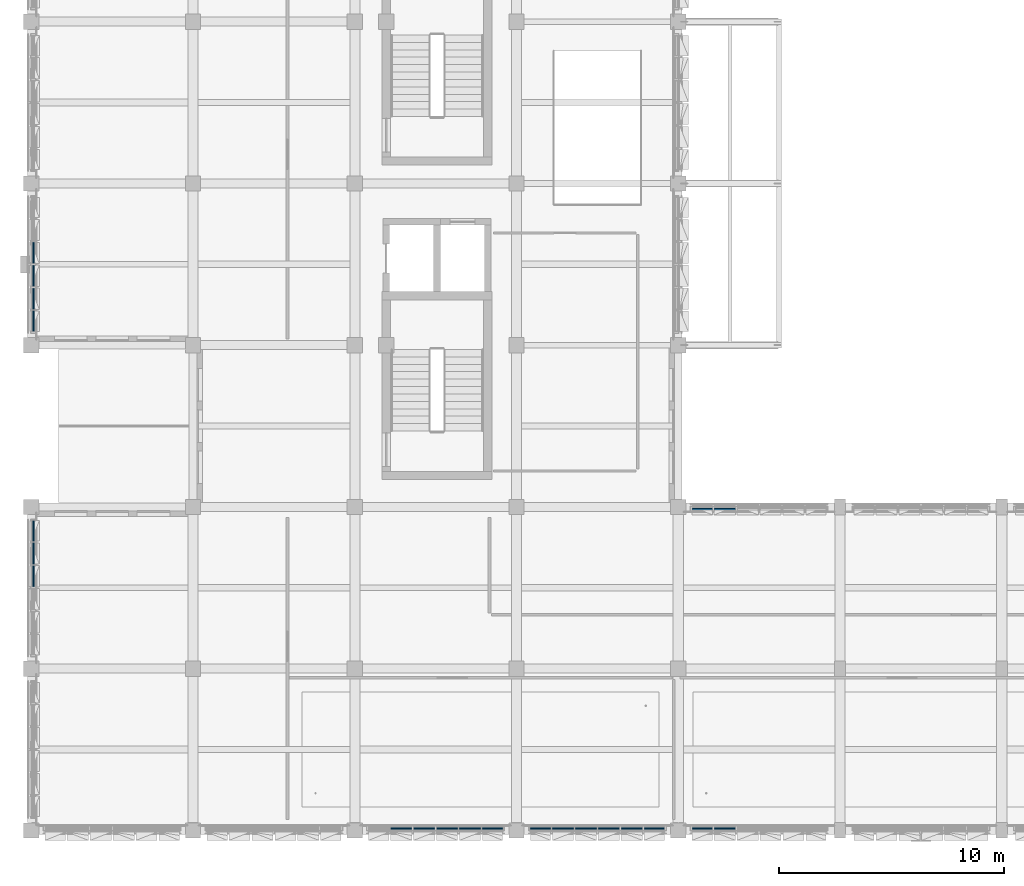
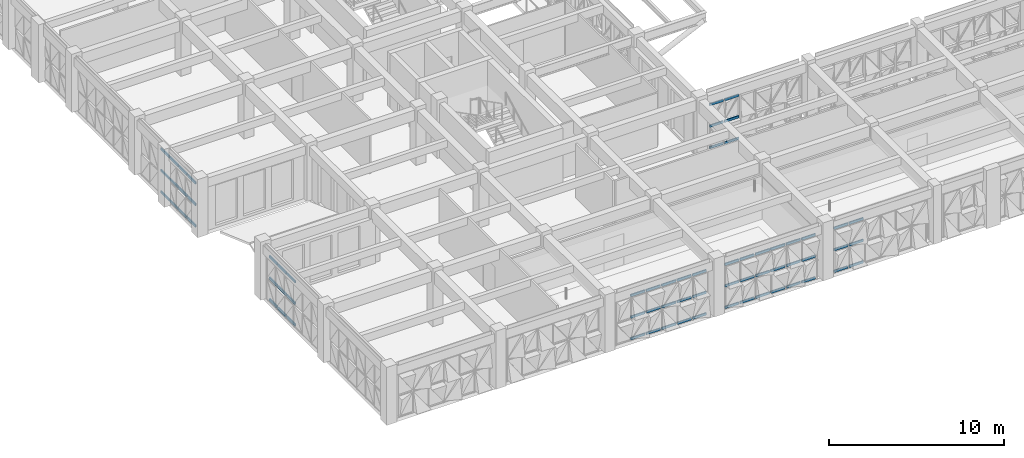
# One storey, part 19 of 88: 66 members, 6 elements without a shape of their own.
"""IFC4 building model written with IfcOpenShell, lengths in metres."""

import ifcopenshell
import ifcopenshell.guid

model = None  # the IFC model being written
_history = None  # IfcOwnerHistory: only IFC2X3 demands one
_inside = {}  # id of a spatial element -> (the spatial element, [elements in it])
_under = {}  # id of a project, library or spatial element -> (it, [spatial elements below it])
_declared = {}  # id of a project -> (the project, [libraries it declares])
_typed = {}  # id of a type object -> (the type object, [elements of that type])
_made_of = {}  # id of a material, layer set ... -> (it, [elements and type objects made of it])


def new_model(schema):
    """Start an empty IFC model of exactly this schema.

    Asked for "IFC4X3", IfcOpenShell would pick the latest addendum, in which some entities
    have other attributes; the version numbers below select the first issue.
    IFC2X3 requires an IfcOwnerHistory on every rooted entity: one is made here for all.
    """
    global model, _history
    if schema == "IFC4X3":
        model = ifcopenshell.file(schema_version=(4, 3, 0, 0))
    else:
        model = ifcopenshell.file(schema=schema)
    _inside.clear()
    _under.clear()
    _declared.clear()
    _typed.clear()
    _made_of.clear()
    _history = None
    if model.schema == "IFC2X3":
        org = make("IfcOrganization", Name="unknown")
        user = make(
            "IfcPersonAndOrganization",
            ThePerson=make("IfcPerson", FamilyName="unknown"),
            TheOrganization=org,
        )
        app = make(
            "IfcApplication",
            ApplicationDeveloper=org,
            Version="unknown",
            ApplicationFullName="unknown",
            ApplicationIdentifier="unknown",
        )
        _history = make(
            "IfcOwnerHistory",
            OwningUser=user,
            OwningApplication=app,
            ChangeAction="ADDED",
            CreationDate=0,
        )
    return model


def make(cls, **values):
    """One entity of the class cls with the attributes given. An attribute that is None is left unset."""
    return model.create_entity(
        cls, **{name: value for name, value in values.items() if value is not None}
    )


def rooted(cls, **values):
    """An entity with a GlobalId (a new one), such as an element, a storey or a relation."""
    return make(cls, GlobalId=ifcopenshell.guid.new(), OwnerHistory=_history, **values)


def si_unit(unit_type, name, prefix=None):
    """IfcSIUnit, for example si_unit("LENGTHUNIT", "METRE", prefix="MILLI")."""
    return make("IfcSIUnit", UnitType=unit_type, Prefix=prefix, Name=name)


def assignment(units):
    """IfcUnitAssignment: the units of a project."""
    return None if units is None else make("IfcUnitAssignment", Units=units)


def point(xyz):
    """IfcCartesianPoint."""
    return None if xyz is None else make("IfcCartesianPoint", Coordinates=xyz)


def direction(xyz):
    """IfcDirection."""
    return None if xyz is None else make("IfcDirection", DirectionRatios=xyz)


def frame(location, z_axis=None, x_axis=None):
    """IfcAxis2Placement3D, a coordinate frame: its origin and axes. An axis left out is left unset."""
    return make(
        "IfcAxis2Placement3D",
        Location=point(location),
        Axis=direction(z_axis),
        RefDirection=direction(x_axis),
    )


def frame_2d(location, x_axis=None):
    """IfcAxis2Placement2D, a coordinate frame in the plane: its origin and x axis."""
    return make(
        "IfcAxis2Placement2D", Location=point(location), RefDirection=direction(x_axis)
    )


def origin():
    """The frame at (0, 0, 0) with its axes left unset."""
    return frame((0.0, 0.0, 0.0))


def origin_2d():
    """The frame at (0, 0) in the plane with its x axis left unset."""
    return frame_2d((0.0, 0.0))


def place(relative_to, where):
    """IfcLocalPlacement: puts the frame where relative to a parent placement (None: the world)."""
    return make(
        "IfcLocalPlacement", PlacementRelTo=relative_to, RelativePlacement=where
    )


def context(
    kind, dimensions, precision=None, world=None, true_north=None, identifier=None
):
    """IfcGeometricRepresentationContext, for example the 3D "Model" context."""
    return make(
        "IfcGeometricRepresentationContext",
        ContextIdentifier=identifier,
        ContextType=kind,
        CoordinateSpaceDimension=dimensions,
        Precision=precision,
        WorldCoordinateSystem=world,
        TrueNorth=true_north,
    )


def subcontext(parent, identifier, kind, view, scale=None):
    """IfcGeometricRepresentationSubContext, for example "Body" below "Model"."""
    return make(
        "IfcGeometricRepresentationSubContext",
        ContextIdentifier=identifier,
        ContextType=kind,
        ParentContext=parent,
        TargetScale=scale,
        TargetView=view,
    )


def project(units=None, contexts=None):
    """IfcProject with its units and contexts."""
    return rooted(
        "IfcProject",
        Name="project",
        RepresentationContexts=contexts,
        UnitsInContext=assignment(units),
    )


def spatial(cls, under=None, at=None, **own):
    """A site, building, storey or space (cls), placed at a placement, below another one or the project."""
    s = rooted(cls, ObjectPlacement=at, **own)
    if under is not None:
        _under.setdefault(under.id(), (under, []))[1].append(s)
    return s


def profile(cls, at=None, kind="AREA", **sizes):
    """A parametric profile (cls). Its sizes go by their IFC names, for example OverallWidth=200.0."""
    return make(cls, ProfileType=kind, Position=at, **sizes)


def rectangle(**sizes):
    """IfcRectangleProfileDef."""
    return profile("IfcRectangleProfileDef", **sizes)


def extrude(swept, where, along, depth):
    """IfcExtrudedAreaSolid: the profile swept, set in the frame where, extruded along a direction by depth."""
    return make(
        "IfcExtrudedAreaSolid",
        SweptArea=swept,
        Position=where,
        ExtrudedDirection=direction(along),
        Depth=depth,
    )


def shape(context_of_items, identifier, shape_type, items):
    """IfcShapeRepresentation: the items that make up one representation, for example the "Body"."""
    return make(
        "IfcShapeRepresentation",
        ContextOfItems=context_of_items,
        RepresentationIdentifier=identifier,
        RepresentationType=shape_type,
        Items=items,
    )


def material(Name=None, Category=None):
    """IfcMaterial."""
    return make("IfcMaterial", Name=Name, Category=Category)


def material_profile(
    of_material, cross_section, Name=None, Category=None, Priority=None
):
    """IfcMaterialProfile: a cross section and its material."""
    return make(
        "IfcMaterialProfile",
        Name=Name,
        Material=of_material,
        Profile=cross_section,
        Priority=Priority,
        Category=Category,
    )


def profile_set(profiles, Name=None, composite=None):
    """IfcMaterialProfileSet."""
    return make(
        "IfcMaterialProfileSet",
        Name=Name,
        MaterialProfiles=profiles,
        CompositeProfile=composite,
    )


def made_of(thing, what):
    """Note that an element or type object is made of a material, layer set ...; save() writes the relation."""
    if what is not None:
        _made_of.setdefault(what.id(), (what, []))[1].append(thing)
    return thing


def type_object(cls, material=None, **own):
    """A type object (cls), such as IfcWallType, which elements share."""
    return made_of(rooted(cls, **own), material)


def element(
    cls,
    number,
    at=None,
    inside=None,
    cuts=None,
    type_object=None,
    material=None,
    context=None,
    identifier="Body",
    shape_type=None,
    held_by="IfcProductDefinitionShape",
    body=None,
    shapes=None,
    **own,
):
    """One element of the class cls, such as IfcWall. Its Tag is "e" and its number.

    at: its placement. inside: the storey or other place that contains it. cuts: it is an
    opening in that element (IfcRelVoidsElement). A single representation is given by context,
    identifier, shape_type and body (its items); several are given by shapes. held_by: the class
    of the entity that holds the representations. save() writes the other relations.
    """
    e = rooted(cls, Tag="e%d" % number, ObjectPlacement=at, **own)
    if body is not None:
        shapes = [shape(context, identifier, shape_type, body)]
    if shapes is not None:
        e.Representation = make(held_by, Representations=shapes)
    if inside is not None:
        _inside.setdefault(inside.id(), (inside, []))[1].append(e)
    if cuts is not None:
        rooted(
            "IfcRelVoidsElement", RelatingBuildingElement=cuts, RelatedOpeningElement=e
        )
    if type_object is not None:
        _typed.setdefault(type_object.id(), (type_object, []))[1].append(e)
    return made_of(e, material)


def aggregate(whole, parts):
    """IfcRelAggregates: a whole, such as a stair, and the parts it consists of."""
    return rooted("IfcRelAggregates", RelatingObject=whole, RelatedObjects=parts)


def save(model, path):
    """Write the relations noted so far, then the file.

    IfcRelAggregates (storeys below a building ...), IfcRelContainedInSpatialStructure (elements
    in a storey), IfcRelDefinesByType, IfcRelAssociatesMaterial and IfcRelDeclares: one each for
    every whole, place, type object, material and project.
    """
    for whole, parts in _under.values():
        aggregate(whole, parts)
    for where, things in _inside.values():
        rooted(
            "IfcRelContainedInSpatialStructure",
            RelatedElements=things,
            RelatingStructure=where,
        )
    for kind, things in _typed.values():
        rooted("IfcRelDefinesByType", RelatedObjects=things, RelatingType=kind)
    for what, things in _made_of.values():
        rooted("IfcRelAssociatesMaterial", RelatedObjects=things, RelatingMaterial=what)
    for by, libraries in _declared.values():
        rooted("IfcRelDeclares", RelatingContext=by, RelatedDefinitions=libraries)
    model.write(path)


model = new_model("IFC4")

# Units and contexts
model_context = context("Model", 3, precision=1e-05, world=origin(), true_north=direction((0.0, 1.0)))
body_context = subcontext(model_context, "Body", "Model", "MODEL_VIEW")
ifc_project = project(units=[si_unit("LENGTHUNIT", "METRE"), si_unit("AREAUNIT", "SQUARE_METRE"), si_unit("VOLUMEUNIT", "CUBIC_METRE"), si_unit("PLANEANGLEUNIT", "RADIAN"), si_unit("MASSUNIT", "GRAM", prefix="KILO")], contexts=[model_context])

# Site, building, storey
site_placement = place(None, origin())
site = spatial("IfcSite", under=ifc_project, at=site_placement, CompositionType="ELEMENT")
building_placement = place(site_placement, origin())
building = spatial("IfcBuilding", under=site, at=building_placement, Name="Alvorim Cloister Faculty of Sciences", CompositionType="ELEMENT")
storey_placement = place(building_placement, frame((0.0, 0.0, 4.5)))
storey = spatial("IfcBuildingStorey", under=building, at=storey_placement, Name="L01", CompositionType="ELEMENT", Elevation=4.5)

# Curtain wall, members
ifc_material_1 = material(Name="Aluminium and Low-E Glass Curtain Wall", Category="aluminium")
curtain_wall_type = type_object("IfcCurtainWallType", Name="CW-TRI-6120x3170", PredefinedType="USERDEFINED", material=ifc_material_1)
curtain_wall_1_placement = place(storey_placement, origin())
curtain_wall_1 = element("IfcCurtainWall", 1, at=curtain_wall_1_placement, inside=storey, type_object=curtain_wall_type, Name="L01 Diagonal Cassette Curtain Wall CW-0007", ObjectType="UNITISED CURTAIN WALL", PredefinedType="USERDEFINED")
ifc_material_2 = material(Name="Aluminium Alloy 6063-T6", Category="aluminium")
ifc_material_profile = material_profile(ifc_material_2, rectangle(XDim=0.074951171875, YDim=0.159912109375, at=origin_2d()), Name="ALU-TRN-75x160")
ifc_profile_set = profile_set([ifc_material_profile], Name="Aluminium Alloy 6063-T6")
member_type = type_object("IfcMemberType", Name="CW-TRN-75x160", PredefinedType="USERDEFINED", material=ifc_profile_set)
member_1_placement = place(storey_placement, frame((0.090087890625, 22.215087890625, 0.080078125), z_axis=(0.0, 1.0, 0.0), x_axis=(-1.0, 0.0, 0.0)))
member_1 = element("IfcMember", 2, at=member_1_placement, type_object=member_type, Name="CW-0007 Transom 1.1", ObjectType="TRANSOM", PredefinedType="USERDEFINED", context=body_context, shape_type="SweptSolid", body=[
    extrude(rectangle(XDim=0.074951171875, YDim=0.159912109375, at=origin_2d()), origin(), (0.0, 0.0, 1.0), 0.907470703125),
])
member_2_placement = place(storey_placement, frame((0.090087890625, 22.215087890625, 1.5849609375), z_axis=(0.0, 1.0, 0.0), x_axis=(-1.0, 0.0, 0.0)))
member_2 = element("IfcMember", 3, at=member_2_placement, type_object=member_type, Name="CW-0007 Transom 1.2", ObjectType="TRANSOM", PredefinedType="USERDEFINED", context=body_context, shape_type="SweptSolid", body=[
    extrude(rectangle(XDim=0.074951171875, YDim=0.159912109375, at=origin_2d()), origin(), (0.0, 0.0, 1.0), 0.907470703125),
])
member_3_placement = place(storey_placement, frame((0.090087890625, 22.215087890625, 3.090087890625), z_axis=(0.0, 1.0, 0.0), x_axis=(-1.0, 0.0, 0.0)))
member_3 = element("IfcMember", 4, at=member_3_placement, type_object=member_type, Name="CW-0007 Transom 1.3", ObjectType="TRANSOM", PredefinedType="USERDEFINED", context=body_context, shape_type="SweptSolid", body=[
    extrude(rectangle(XDim=0.074951171875, YDim=0.159912109375, at=origin_2d()), origin(), (0.0, 0.0, 1.0), 0.907470703125),
])
member_4_placement = place(storey_placement, frame((0.090087890625, 23.197509765625, 0.080078125), z_axis=(0.0, 1.0, 0.0), x_axis=(-1.0, 0.0, 0.0)))
member_4 = element("IfcMember", 5, at=member_4_placement, type_object=member_type, Name="CW-0007 Transom 2.1", ObjectType="TRANSOM", PredefinedType="USERDEFINED", context=body_context, shape_type="SweptSolid", body=[
    extrude(rectangle(XDim=0.074951171875, YDim=0.159912109375, at=origin_2d()), origin(), (0.0, 0.0, 1.0), 0.945068359375),
])
member_5_placement = place(storey_placement, frame((0.090087890625, 23.197509765625, 1.5849609375), z_axis=(0.0, 1.0, 0.0), x_axis=(-1.0, 0.0, 0.0)))
member_5 = element("IfcMember", 6, at=member_5_placement, type_object=member_type, Name="CW-0007 Transom 2.2", ObjectType="TRANSOM", PredefinedType="USERDEFINED", context=body_context, shape_type="SweptSolid", body=[
    extrude(rectangle(XDim=0.074951171875, YDim=0.159912109375, at=origin_2d()), origin(), (0.0, 0.0, 1.0), 0.945068359375),
])
member_6_placement = place(storey_placement, frame((0.090087890625, 23.197509765625, 3.090087890625), z_axis=(0.0, 1.0, 0.0), x_axis=(-1.0, 0.0, 0.0)))
member_6 = element("IfcMember", 7, at=member_6_placement, type_object=member_type, Name="CW-0007 Transom 2.3", ObjectType="TRANSOM", PredefinedType="USERDEFINED", context=body_context, shape_type="SweptSolid", body=[
    extrude(rectangle(XDim=0.074951171875, YDim=0.159912109375, at=origin_2d()), origin(), (0.0, 0.0, 1.0), 0.945068359375),
])
member_7_placement = place(storey_placement, frame((0.090087890625, 24.217529296875, 0.080078125), z_axis=(0.0, 1.0, 0.0), x_axis=(-1.0, 0.0, 0.0)))
member_7 = element("IfcMember", 8, at=member_7_placement, type_object=member_type, Name="CW-0007 Transom 3.1", ObjectType="TRANSOM", PredefinedType="USERDEFINED", context=body_context, shape_type="SweptSolid", body=[
    extrude(rectangle(XDim=0.074951171875, YDim=0.159912109375, at=origin_2d()), origin(), (0.0, 0.0, 1.0), 0.945068359375),
])
member_8_placement = place(storey_placement, frame((0.090087890625, 24.217529296875, 1.5849609375), z_axis=(0.0, 1.0, 0.0), x_axis=(-1.0, 0.0, 0.0)))
member_8 = element("IfcMember", 9, at=member_8_placement, type_object=member_type, Name="CW-0007 Transom 3.2", ObjectType="TRANSOM", PredefinedType="USERDEFINED", context=body_context, shape_type="SweptSolid", body=[
    extrude(rectangle(XDim=0.074951171875, YDim=0.159912109375, at=origin_2d()), origin(), (0.0, 0.0, 1.0), 0.945068359375),
])
member_9_placement = place(storey_placement, frame((0.090087890625, 24.217529296875, 3.090087890625), z_axis=(0.0, 1.0, 0.0), x_axis=(-1.0, 0.0, 0.0)))
member_9 = element("IfcMember", 10, at=member_9_placement, type_object=member_type, Name="CW-0007 Transom 3.3", ObjectType="TRANSOM", PredefinedType="USERDEFINED", context=body_context, shape_type="SweptSolid", body=[
    extrude(rectangle(XDim=0.074951171875, YDim=0.159912109375, at=origin_2d()), origin(), (0.0, 0.0, 1.0), 0.945068359375),
])
member_10_placement = place(storey_placement, frame((0.090087890625, 25.237548828125, 0.080078125), z_axis=(0.0, 1.0, 0.0), x_axis=(-1.0, 0.0, 0.0)))
member_10 = element("IfcMember", 11, at=member_10_placement, type_object=member_type, Name="CW-0007 Transom 4.1", ObjectType="TRANSOM", PredefinedType="USERDEFINED", context=body_context, shape_type="SweptSolid", body=[
    extrude(rectangle(XDim=0.074951171875, YDim=0.159912109375, at=origin_2d()), origin(), (0.0, 0.0, 1.0), 0.945068359375),
])
member_11_placement = place(storey_placement, frame((0.090087890625, 25.237548828125, 1.5849609375), z_axis=(0.0, 1.0, 0.0), x_axis=(-1.0, 0.0, 0.0)))
member_11 = element("IfcMember", 12, at=member_11_placement, type_object=member_type, Name="CW-0007 Transom 4.2", ObjectType="TRANSOM", PredefinedType="USERDEFINED", context=body_context, shape_type="SweptSolid", body=[
    extrude(rectangle(XDim=0.074951171875, YDim=0.159912109375, at=origin_2d()), origin(), (0.0, 0.0, 1.0), 0.945068359375),
])
member_12_placement = place(storey_placement, frame((0.090087890625, 25.237548828125, 3.090087890625), z_axis=(0.0, 1.0, 0.0), x_axis=(-1.0, 0.0, 0.0)))
member_12 = element("IfcMember", 13, at=member_12_placement, type_object=member_type, Name="CW-0007 Transom 4.3", ObjectType="TRANSOM", PredefinedType="USERDEFINED", context=body_context, shape_type="SweptSolid", body=[
    extrude(rectangle(XDim=0.074951171875, YDim=0.159912109375, at=origin_2d()), origin(), (0.0, 0.0, 1.0), 0.945068359375),
])
aggregate(curtain_wall_1, [member_1, member_2, member_3, member_4, member_5, member_6, member_7, member_8, member_9, member_10, member_11, member_12])

curtain_wall_2_placement = place(storey_placement, origin())
curtain_wall_2 = element("IfcCurtainWall", 14, at=curtain_wall_2_placement, inside=storey, type_object=curtain_wall_type, Name="L01 Diagonal Cassette Curtain Wall CW-0027", ObjectType="UNITISED CURTAIN WALL", PredefinedType="USERDEFINED")
member_13_placement = place(storey_placement, frame((29.4150390625, 14.31005859375, 0.080078125), z_axis=(1.0, 0.0, 0.0), x_axis=(0.0, 1.0, 0.0)))
member_13 = element("IfcMember", 15, at=member_13_placement, type_object=member_type, Name="CW-0027 Transom 1.1", ObjectType="TRANSOM", PredefinedType="USERDEFINED", context=body_context, shape_type="SweptSolid", body=[
    extrude(rectangle(XDim=0.074951171875, YDim=0.159912109375, at=origin_2d()), origin(), (0.0, 0.0, 1.0), 0.907470703125),
])
member_14_placement = place(storey_placement, frame((29.4150390625, 14.31005859375, 1.5849609375), z_axis=(1.0, 0.0, 0.0), x_axis=(0.0, 1.0, 0.0)))
member_14 = element("IfcMember", 16, at=member_14_placement, type_object=member_type, Name="CW-0027 Transom 1.2", ObjectType="TRANSOM", PredefinedType="USERDEFINED", context=body_context, shape_type="SweptSolid", body=[
    extrude(rectangle(XDim=0.074951171875, YDim=0.159912109375, at=origin_2d()), origin(), (0.0, 0.0, 1.0), 0.907470703125),
])
member_15_placement = place(storey_placement, frame((29.4150390625, 14.31005859375, 3.090087890625), z_axis=(1.0, 0.0, 0.0), x_axis=(0.0, 1.0, 0.0)))
member_15 = element("IfcMember", 17, at=member_15_placement, type_object=member_type, Name="CW-0027 Transom 1.3", ObjectType="TRANSOM", PredefinedType="USERDEFINED", context=body_context, shape_type="SweptSolid", body=[
    extrude(rectangle(XDim=0.074951171875, YDim=0.159912109375, at=origin_2d()), origin(), (0.0, 0.0, 1.0), 0.907470703125),
])
member_16_placement = place(storey_placement, frame((30.3974609375, 14.31005859375, 0.080078125), z_axis=(1.0, 0.0, 0.0), x_axis=(0.0, 1.0, 0.0)))
member_16 = element("IfcMember", 18, at=member_16_placement, type_object=member_type, Name="CW-0027 Transom 2.1", ObjectType="TRANSOM", PredefinedType="USERDEFINED", context=body_context, shape_type="SweptSolid", body=[
    extrude(rectangle(XDim=0.074951171875, YDim=0.159912109375, at=origin_2d()), origin(), (0.0, 0.0, 1.0), 0.945068359375),
])
member_17_placement = place(storey_placement, frame((30.3974609375, 14.31005859375, 1.5849609375), z_axis=(1.0, 0.0, 0.0), x_axis=(0.0, 1.0, 0.0)))
member_17 = element("IfcMember", 19, at=member_17_placement, type_object=member_type, Name="CW-0027 Transom 2.2", ObjectType="TRANSOM", PredefinedType="USERDEFINED", context=body_context, shape_type="SweptSolid", body=[
    extrude(rectangle(XDim=0.074951171875, YDim=0.159912109375, at=origin_2d()), origin(), (0.0, 0.0, 1.0), 0.945068359375),
])
member_18_placement = place(storey_placement, frame((30.3974609375, 14.31005859375, 3.090087890625), z_axis=(1.0, 0.0, 0.0), x_axis=(0.0, 1.0, 0.0)))
member_18 = element("IfcMember", 20, at=member_18_placement, type_object=member_type, Name="CW-0027 Transom 2.3", ObjectType="TRANSOM", PredefinedType="USERDEFINED", context=body_context, shape_type="SweptSolid", body=[
    extrude(rectangle(XDim=0.074951171875, YDim=0.159912109375, at=origin_2d()), origin(), (0.0, 0.0, 1.0), 0.945068359375),
])
aggregate(curtain_wall_2, [member_13, member_14, member_15, member_16, member_17, member_18])

curtain_wall_3_placement = place(storey_placement, origin())
curtain_wall_3 = element("IfcCurtainWall", 21, at=curtain_wall_3_placement, inside=storey, type_object=curtain_wall_type, Name="L01 Diagonal Cassette Curtain Wall CW-0044", ObjectType="UNITISED CURTAIN WALL", PredefinedType="USERDEFINED")
member_19_placement = place(storey_placement, frame((29.4150390625, 0.090087890625, 0.080078125), z_axis=(1.0, 0.0, 0.0), x_axis=(0.0, 1.0, 0.0)))
member_19 = element("IfcMember", 22, at=member_19_placement, type_object=member_type, Name="CW-0044 Transom 1.1", ObjectType="TRANSOM", PredefinedType="USERDEFINED", context=body_context, shape_type="SweptSolid", body=[
    extrude(rectangle(XDim=0.074951171875, YDim=0.159912109375, at=origin_2d()), origin(), (0.0, 0.0, 1.0), 0.907470703125),
])
member_20_placement = place(storey_placement, frame((29.4150390625, 0.090087890625, 1.5849609375), z_axis=(1.0, 0.0, 0.0), x_axis=(0.0, 1.0, 0.0)))
member_20 = element("IfcMember", 23, at=member_20_placement, type_object=member_type, Name="CW-0044 Transom 1.2", ObjectType="TRANSOM", PredefinedType="USERDEFINED", context=body_context, shape_type="SweptSolid", body=[
    extrude(rectangle(XDim=0.074951171875, YDim=0.159912109375, at=origin_2d()), origin(), (0.0, 0.0, 1.0), 0.907470703125),
])
member_21_placement = place(storey_placement, frame((29.4150390625, 0.090087890625, 3.090087890625), z_axis=(1.0, 0.0, 0.0), x_axis=(0.0, 1.0, 0.0)))
member_21 = element("IfcMember", 24, at=member_21_placement, type_object=member_type, Name="CW-0044 Transom 1.3", ObjectType="TRANSOM", PredefinedType="USERDEFINED", context=body_context, shape_type="SweptSolid", body=[
    extrude(rectangle(XDim=0.074951171875, YDim=0.159912109375, at=origin_2d()), origin(), (0.0, 0.0, 1.0), 0.907470703125),
])
member_22_placement = place(storey_placement, frame((30.3974609375, 0.090087890625, 0.080078125), z_axis=(1.0, 0.0, 0.0), x_axis=(0.0, 1.0, 0.0)))
member_22 = element("IfcMember", 25, at=member_22_placement, type_object=member_type, Name="CW-0044 Transom 2.1", ObjectType="TRANSOM", PredefinedType="USERDEFINED", context=body_context, shape_type="SweptSolid", body=[
    extrude(rectangle(XDim=0.074951171875, YDim=0.159912109375, at=origin_2d()), origin(), (0.0, 0.0, 1.0), 0.945068359375),
])
member_23_placement = place(storey_placement, frame((30.3974609375, 0.090087890625, 1.5849609375), z_axis=(1.0, 0.0, 0.0), x_axis=(0.0, 1.0, 0.0)))
member_23 = element("IfcMember", 26, at=member_23_placement, type_object=member_type, Name="CW-0044 Transom 2.2", ObjectType="TRANSOM", PredefinedType="USERDEFINED", context=body_context, shape_type="SweptSolid", body=[
    extrude(rectangle(XDim=0.074951171875, YDim=0.159912109375, at=origin_2d()), origin(), (0.0, 0.0, 1.0), 0.945068359375),
])
member_24_placement = place(storey_placement, frame((30.3974609375, 0.090087890625, 3.090087890625), z_axis=(1.0, 0.0, 0.0), x_axis=(0.0, 1.0, 0.0)))
member_24 = element("IfcMember", 27, at=member_24_placement, type_object=member_type, Name="CW-0044 Transom 2.3", ObjectType="TRANSOM", PredefinedType="USERDEFINED", context=body_context, shape_type="SweptSolid", body=[
    extrude(rectangle(XDim=0.074951171875, YDim=0.159912109375, at=origin_2d()), origin(), (0.0, 0.0, 1.0), 0.945068359375),
])
aggregate(curtain_wall_3, [member_19, member_20, member_21, member_22, member_23, member_24])

curtain_wall_4_placement = place(storey_placement, origin())
curtain_wall_4 = element("IfcCurtainWall", 28, at=curtain_wall_4_placement, inside=storey, type_object=curtain_wall_type, Name="L01 Diagonal Cassette Curtain Wall CW-0045", ObjectType="UNITISED CURTAIN WALL", PredefinedType="USERDEFINED")
member_25_placement = place(storey_placement, frame((22.215087890625, 0.090087890625, 0.080078125), z_axis=(1.0, 0.0, 0.0), x_axis=(0.0, 1.0, 0.0)))
member_25 = element("IfcMember", 29, at=member_25_placement, type_object=member_type, Name="CW-0045 Transom 1.1", ObjectType="TRANSOM", PredefinedType="USERDEFINED", context=body_context, shape_type="SweptSolid", body=[
    extrude(rectangle(XDim=0.074951171875, YDim=0.159912109375, at=origin_2d()), origin(), (0.0, 0.0, 1.0), 0.907470703125),
])
member_26_placement = place(storey_placement, frame((22.215087890625, 0.090087890625, 1.5849609375), z_axis=(1.0, 0.0, 0.0), x_axis=(0.0, 1.0, 0.0)))
member_26 = element("IfcMember", 30, at=member_26_placement, type_object=member_type, Name="CW-0045 Transom 1.2", ObjectType="TRANSOM", PredefinedType="USERDEFINED", context=body_context, shape_type="SweptSolid", body=[
    extrude(rectangle(XDim=0.074951171875, YDim=0.159912109375, at=origin_2d()), origin(), (0.0, 0.0, 1.0), 0.907470703125),
])
member_27_placement = place(storey_placement, frame((22.215087890625, 0.090087890625, 3.090087890625), z_axis=(1.0, 0.0, 0.0), x_axis=(0.0, 1.0, 0.0)))
member_27 = element("IfcMember", 31, at=member_27_placement, type_object=member_type, Name="CW-0045 Transom 1.3", ObjectType="TRANSOM", PredefinedType="USERDEFINED", context=body_context, shape_type="SweptSolid", body=[
    extrude(rectangle(XDim=0.074951171875, YDim=0.159912109375, at=origin_2d()), origin(), (0.0, 0.0, 1.0), 0.907470703125),
])
member_28_placement = place(storey_placement, frame((23.197509765625, 0.090087890625, 0.080078125), z_axis=(1.0, 0.0, 0.0), x_axis=(0.0, 1.0, 0.0)))
member_28 = element("IfcMember", 32, at=member_28_placement, type_object=member_type, Name="CW-0045 Transom 2.1", ObjectType="TRANSOM", PredefinedType="USERDEFINED", context=body_context, shape_type="SweptSolid", body=[
    extrude(rectangle(XDim=0.074951171875, YDim=0.159912109375, at=origin_2d()), origin(), (0.0, 0.0, 1.0), 0.945068359375),
])
member_29_placement = place(storey_placement, frame((23.197509765625, 0.090087890625, 1.5849609375), z_axis=(1.0, 0.0, 0.0), x_axis=(0.0, 1.0, 0.0)))
member_29 = element("IfcMember", 33, at=member_29_placement, type_object=member_type, Name="CW-0045 Transom 2.2", ObjectType="TRANSOM", PredefinedType="USERDEFINED", context=body_context, shape_type="SweptSolid", body=[
    extrude(rectangle(XDim=0.074951171875, YDim=0.159912109375, at=origin_2d()), origin(), (0.0, 0.0, 1.0), 0.945068359375),
])
member_30_placement = place(storey_placement, frame((23.197509765625, 0.090087890625, 3.090087890625), z_axis=(1.0, 0.0, 0.0), x_axis=(0.0, 1.0, 0.0)))
member_30 = element("IfcMember", 34, at=member_30_placement, type_object=member_type, Name="CW-0045 Transom 2.3", ObjectType="TRANSOM", PredefinedType="USERDEFINED", context=body_context, shape_type="SweptSolid", body=[
    extrude(rectangle(XDim=0.074951171875, YDim=0.159912109375, at=origin_2d()), origin(), (0.0, 0.0, 1.0), 0.945068359375),
])
member_31_placement = place(storey_placement, frame((24.217529296875, 0.090087890625, 0.080078125), z_axis=(1.0, 0.0, 0.0), x_axis=(0.0, 1.0, 0.0)))
member_31 = element("IfcMember", 35, at=member_31_placement, type_object=member_type, Name="CW-0045 Transom 3.1", ObjectType="TRANSOM", PredefinedType="USERDEFINED", context=body_context, shape_type="SweptSolid", body=[
    extrude(rectangle(XDim=0.074951171875, YDim=0.159912109375, at=origin_2d()), origin(), (0.0, 0.0, 1.0), 0.945068359375),
])
member_32_placement = place(storey_placement, frame((24.217529296875, 0.090087890625, 1.5849609375), z_axis=(1.0, 0.0, 0.0), x_axis=(0.0, 1.0, 0.0)))
member_32 = element("IfcMember", 36, at=member_32_placement, type_object=member_type, Name="CW-0045 Transom 3.2", ObjectType="TRANSOM", PredefinedType="USERDEFINED", context=body_context, shape_type="SweptSolid", body=[
    extrude(rectangle(XDim=0.074951171875, YDim=0.159912109375, at=origin_2d()), origin(), (0.0, 0.0, 1.0), 0.945068359375),
])
member_33_placement = place(storey_placement, frame((24.217529296875, 0.090087890625, 3.090087890625), z_axis=(1.0, 0.0, 0.0), x_axis=(0.0, 1.0, 0.0)))
member_33 = element("IfcMember", 37, at=member_33_placement, type_object=member_type, Name="CW-0045 Transom 3.3", ObjectType="TRANSOM", PredefinedType="USERDEFINED", context=body_context, shape_type="SweptSolid", body=[
    extrude(rectangle(XDim=0.074951171875, YDim=0.159912109375, at=origin_2d()), origin(), (0.0, 0.0, 1.0), 0.945068359375),
])
member_34_placement = place(storey_placement, frame((25.237548828125, 0.090087890625, 0.080078125), z_axis=(1.0, 0.0, 0.0), x_axis=(0.0, 1.0, 0.0)))
member_34 = element("IfcMember", 38, at=member_34_placement, type_object=member_type, Name="CW-0045 Transom 4.1", ObjectType="TRANSOM", PredefinedType="USERDEFINED", context=body_context, shape_type="SweptSolid", body=[
    extrude(rectangle(XDim=0.074951171875, YDim=0.159912109375, at=origin_2d()), origin(), (0.0, 0.0, 1.0), 0.945068359375),
])
member_35_placement = place(storey_placement, frame((25.237548828125, 0.090087890625, 1.5849609375), z_axis=(1.0, 0.0, 0.0), x_axis=(0.0, 1.0, 0.0)))
member_35 = element("IfcMember", 39, at=member_35_placement, type_object=member_type, Name="CW-0045 Transom 4.2", ObjectType="TRANSOM", PredefinedType="USERDEFINED", context=body_context, shape_type="SweptSolid", body=[
    extrude(rectangle(XDim=0.074951171875, YDim=0.159912109375, at=origin_2d()), origin(), (0.0, 0.0, 1.0), 0.945068359375),
])
member_36_placement = place(storey_placement, frame((25.237548828125, 0.090087890625, 3.090087890625), z_axis=(1.0, 0.0, 0.0), x_axis=(0.0, 1.0, 0.0)))
member_36 = element("IfcMember", 40, at=member_36_placement, type_object=member_type, Name="CW-0045 Transom 4.3", ObjectType="TRANSOM", PredefinedType="USERDEFINED", context=body_context, shape_type="SweptSolid", body=[
    extrude(rectangle(XDim=0.074951171875, YDim=0.159912109375, at=origin_2d()), origin(), (0.0, 0.0, 1.0), 0.945068359375),
])
member_37_placement = place(storey_placement, frame((26.257568359375, 0.090087890625, 0.080078125), z_axis=(1.0, 0.0, 0.0), x_axis=(0.0, 1.0, 0.0)))
member_37 = element("IfcMember", 41, at=member_37_placement, type_object=member_type, Name="CW-0045 Transom 5.1", ObjectType="TRANSOM", PredefinedType="USERDEFINED", context=body_context, shape_type="SweptSolid", body=[
    extrude(rectangle(XDim=0.074951171875, YDim=0.159912109375, at=origin_2d()), origin(), (0.0, 0.0, 1.0), 0.94482421875),
])
member_38_placement = place(storey_placement, frame((26.257568359375, 0.090087890625, 1.5849609375), z_axis=(1.0, 0.0, 0.0), x_axis=(0.0, 1.0, 0.0)))
member_38 = element("IfcMember", 42, at=member_38_placement, type_object=member_type, Name="CW-0045 Transom 5.2", ObjectType="TRANSOM", PredefinedType="USERDEFINED", context=body_context, shape_type="SweptSolid", body=[
    extrude(rectangle(XDim=0.074951171875, YDim=0.159912109375, at=origin_2d()), origin(), (0.0, 0.0, 1.0), 0.94482421875),
])
member_39_placement = place(storey_placement, frame((26.257568359375, 0.090087890625, 3.090087890625), z_axis=(1.0, 0.0, 0.0), x_axis=(0.0, 1.0, 0.0)))
member_39 = element("IfcMember", 43, at=member_39_placement, type_object=member_type, Name="CW-0045 Transom 5.3", ObjectType="TRANSOM", PredefinedType="USERDEFINED", context=body_context, shape_type="SweptSolid", body=[
    extrude(rectangle(XDim=0.074951171875, YDim=0.159912109375, at=origin_2d()), origin(), (0.0, 0.0, 1.0), 0.94482421875),
])
member_40_placement = place(storey_placement, frame((27.277587890625, 0.090087890625, 0.080078125), z_axis=(1.0, 0.0, 0.0), x_axis=(0.0, 1.0, 0.0)))
member_40 = element("IfcMember", 44, at=member_40_placement, type_object=member_type, Name="CW-0045 Transom 6.1", ObjectType="TRANSOM", PredefinedType="USERDEFINED", context=body_context, shape_type="SweptSolid", body=[
    extrude(rectangle(XDim=0.074951171875, YDim=0.159912109375, at=origin_2d()), origin(), (0.0, 0.0, 1.0), 0.907470703125),
])
member_41_placement = place(storey_placement, frame((27.277587890625, 0.090087890625, 1.5849609375), z_axis=(1.0, 0.0, 0.0), x_axis=(0.0, 1.0, 0.0)))
member_41 = element("IfcMember", 45, at=member_41_placement, type_object=member_type, Name="CW-0045 Transom 6.2", ObjectType="TRANSOM", PredefinedType="USERDEFINED", context=body_context, shape_type="SweptSolid", body=[
    extrude(rectangle(XDim=0.074951171875, YDim=0.159912109375, at=origin_2d()), origin(), (0.0, 0.0, 1.0), 0.907470703125),
])
member_42_placement = place(storey_placement, frame((27.277587890625, 0.090087890625, 3.090087890625), z_axis=(1.0, 0.0, 0.0), x_axis=(0.0, 1.0, 0.0)))
member_42 = element("IfcMember", 46, at=member_42_placement, type_object=member_type, Name="CW-0045 Transom 6.3", ObjectType="TRANSOM", PredefinedType="USERDEFINED", context=body_context, shape_type="SweptSolid", body=[
    extrude(rectangle(XDim=0.074951171875, YDim=0.159912109375, at=origin_2d()), origin(), (0.0, 0.0, 1.0), 0.907470703125),
])
aggregate(curtain_wall_4, [member_25, member_26, member_27, member_28, member_29, member_30, member_31, member_32, member_33, member_34, member_35, member_36, member_37, member_38, member_39, member_40, member_41, member_42])

curtain_wall_5_placement = place(storey_placement, origin())
curtain_wall_5 = element("IfcCurtainWall", 47, at=curtain_wall_5_placement, inside=storey, type_object=curtain_wall_type, Name="L01 Diagonal Cassette Curtain Wall CW-0046", ObjectType="UNITISED CURTAIN WALL", PredefinedType="USERDEFINED")
member_43_placement = place(storey_placement, frame((15.99755859375, 0.090087890625, 0.080078125), z_axis=(1.0, 0.0, 0.0), x_axis=(0.0, 1.0, 0.0)))
member_43 = element("IfcMember", 48, at=member_43_placement, type_object=member_type, Name="CW-0046 Transom 2.1", ObjectType="TRANSOM", PredefinedType="USERDEFINED", context=body_context, shape_type="SweptSolid", body=[
    extrude(rectangle(XDim=0.074951171875, YDim=0.159912109375, at=origin_2d()), origin(), (0.0, 0.0, 1.0), 0.94482421875),
])
member_44_placement = place(storey_placement, frame((15.99755859375, 0.090087890625, 1.5849609375), z_axis=(1.0, 0.0, 0.0), x_axis=(0.0, 1.0, 0.0)))
member_44 = element("IfcMember", 49, at=member_44_placement, type_object=member_type, Name="CW-0046 Transom 2.2", ObjectType="TRANSOM", PredefinedType="USERDEFINED", context=body_context, shape_type="SweptSolid", body=[
    extrude(rectangle(XDim=0.074951171875, YDim=0.159912109375, at=origin_2d()), origin(), (0.0, 0.0, 1.0), 0.94482421875),
])
member_45_placement = place(storey_placement, frame((15.99755859375, 0.090087890625, 3.090087890625), z_axis=(1.0, 0.0, 0.0), x_axis=(0.0, 1.0, 0.0)))
member_45 = element("IfcMember", 50, at=member_45_placement, type_object=member_type, Name="CW-0046 Transom 2.3", ObjectType="TRANSOM", PredefinedType="USERDEFINED", context=body_context, shape_type="SweptSolid", body=[
    extrude(rectangle(XDim=0.074951171875, YDim=0.159912109375, at=origin_2d()), origin(), (0.0, 0.0, 1.0), 0.94482421875),
])
member_46_placement = place(storey_placement, frame((17.017578125, 0.090087890625, 0.080078125), z_axis=(1.0, 0.0, 0.0), x_axis=(0.0, 1.0, 0.0)))
member_46 = element("IfcMember", 51, at=member_46_placement, type_object=member_type, Name="CW-0046 Transom 3.1", ObjectType="TRANSOM", PredefinedType="USERDEFINED", context=body_context, shape_type="SweptSolid", body=[
    extrude(rectangle(XDim=0.074951171875, YDim=0.159912109375, at=origin_2d()), origin(), (0.0, 0.0, 1.0), 0.94482421875),
])
member_47_placement = place(storey_placement, frame((17.017578125, 0.090087890625, 1.5849609375), z_axis=(1.0, 0.0, 0.0), x_axis=(0.0, 1.0, 0.0)))
member_47 = element("IfcMember", 52, at=member_47_placement, type_object=member_type, Name="CW-0046 Transom 3.2", ObjectType="TRANSOM", PredefinedType="USERDEFINED", context=body_context, shape_type="SweptSolid", body=[
    extrude(rectangle(XDim=0.074951171875, YDim=0.159912109375, at=origin_2d()), origin(), (0.0, 0.0, 1.0), 0.94482421875),
])
member_48_placement = place(storey_placement, frame((17.017578125, 0.090087890625, 3.090087890625), z_axis=(1.0, 0.0, 0.0), x_axis=(0.0, 1.0, 0.0)))
member_48 = element("IfcMember", 53, at=member_48_placement, type_object=member_type, Name="CW-0046 Transom 3.3", ObjectType="TRANSOM", PredefinedType="USERDEFINED", context=body_context, shape_type="SweptSolid", body=[
    extrude(rectangle(XDim=0.074951171875, YDim=0.159912109375, at=origin_2d()), origin(), (0.0, 0.0, 1.0), 0.94482421875),
])
member_49_placement = place(storey_placement, frame((18.03759765625, 0.090087890625, 0.080078125), z_axis=(1.0, 0.0, 0.0), x_axis=(0.0, 1.0, 0.0)))
member_49 = element("IfcMember", 54, at=member_49_placement, type_object=member_type, Name="CW-0046 Transom 4.1", ObjectType="TRANSOM", PredefinedType="USERDEFINED", context=body_context, shape_type="SweptSolid", body=[
    extrude(rectangle(XDim=0.074951171875, YDim=0.159912109375, at=origin_2d()), origin(), (0.0, 0.0, 1.0), 0.94482421875),
])
member_50_placement = place(storey_placement, frame((18.03759765625, 0.090087890625, 1.5849609375), z_axis=(1.0, 0.0, 0.0), x_axis=(0.0, 1.0, 0.0)))
member_50 = element("IfcMember", 55, at=member_50_placement, type_object=member_type, Name="CW-0046 Transom 4.2", ObjectType="TRANSOM", PredefinedType="USERDEFINED", context=body_context, shape_type="SweptSolid", body=[
    extrude(rectangle(XDim=0.074951171875, YDim=0.159912109375, at=origin_2d()), origin(), (0.0, 0.0, 1.0), 0.94482421875),
])
member_51_placement = place(storey_placement, frame((18.03759765625, 0.090087890625, 3.090087890625), z_axis=(1.0, 0.0, 0.0), x_axis=(0.0, 1.0, 0.0)))
member_51 = element("IfcMember", 56, at=member_51_placement, type_object=member_type, Name="CW-0046 Transom 4.3", ObjectType="TRANSOM", PredefinedType="USERDEFINED", context=body_context, shape_type="SweptSolid", body=[
    extrude(rectangle(XDim=0.074951171875, YDim=0.159912109375, at=origin_2d()), origin(), (0.0, 0.0, 1.0), 0.94482421875),
])
member_52_placement = place(storey_placement, frame((19.0576171875, 0.090087890625, 0.080078125), z_axis=(1.0, 0.0, 0.0), x_axis=(0.0, 1.0, 0.0)))
member_52 = element("IfcMember", 57, at=member_52_placement, type_object=member_type, Name="CW-0046 Transom 5.1", ObjectType="TRANSOM", PredefinedType="USERDEFINED", context=body_context, shape_type="SweptSolid", body=[
    extrude(rectangle(XDim=0.074951171875, YDim=0.159912109375, at=origin_2d()), origin(), (0.0, 0.0, 1.0), 0.94482421875),
])
member_53_placement = place(storey_placement, frame((19.0576171875, 0.090087890625, 1.5849609375), z_axis=(1.0, 0.0, 0.0), x_axis=(0.0, 1.0, 0.0)))
member_53 = element("IfcMember", 58, at=member_53_placement, type_object=member_type, Name="CW-0046 Transom 5.2", ObjectType="TRANSOM", PredefinedType="USERDEFINED", context=body_context, shape_type="SweptSolid", body=[
    extrude(rectangle(XDim=0.074951171875, YDim=0.159912109375, at=origin_2d()), origin(), (0.0, 0.0, 1.0), 0.94482421875),
])
member_54_placement = place(storey_placement, frame((19.0576171875, 0.090087890625, 3.090087890625), z_axis=(1.0, 0.0, 0.0), x_axis=(0.0, 1.0, 0.0)))
member_54 = element("IfcMember", 59, at=member_54_placement, type_object=member_type, Name="CW-0046 Transom 5.3", ObjectType="TRANSOM", PredefinedType="USERDEFINED", context=body_context, shape_type="SweptSolid", body=[
    extrude(rectangle(XDim=0.074951171875, YDim=0.159912109375, at=origin_2d()), origin(), (0.0, 0.0, 1.0), 0.94482421875),
])
member_55_placement = place(storey_placement, frame((20.077392578125, 0.090087890625, 0.080078125), z_axis=(1.0, 0.0, 0.0), x_axis=(0.0, 1.0, 0.0)))
member_55 = element("IfcMember", 60, at=member_55_placement, type_object=member_type, Name="CW-0046 Transom 6.1", ObjectType="TRANSOM", PredefinedType="USERDEFINED", context=body_context, shape_type="SweptSolid", body=[
    extrude(rectangle(XDim=0.074951171875, YDim=0.159912109375, at=origin_2d()), origin(), (0.0, 0.0, 1.0), 0.90771484375),
])
member_56_placement = place(storey_placement, frame((20.077392578125, 0.090087890625, 1.5849609375), z_axis=(1.0, 0.0, 0.0), x_axis=(0.0, 1.0, 0.0)))
member_56 = element("IfcMember", 61, at=member_56_placement, type_object=member_type, Name="CW-0046 Transom 6.2", ObjectType="TRANSOM", PredefinedType="USERDEFINED", context=body_context, shape_type="SweptSolid", body=[
    extrude(rectangle(XDim=0.074951171875, YDim=0.159912109375, at=origin_2d()), origin(), (0.0, 0.0, 1.0), 0.90771484375),
])
member_57_placement = place(storey_placement, frame((20.077392578125, 0.090087890625, 3.090087890625), z_axis=(1.0, 0.0, 0.0), x_axis=(0.0, 1.0, 0.0)))
member_57 = element("IfcMember", 62, at=member_57_placement, type_object=member_type, Name="CW-0046 Transom 6.3", ObjectType="TRANSOM", PredefinedType="USERDEFINED", context=body_context, shape_type="SweptSolid", body=[
    extrude(rectangle(XDim=0.074951171875, YDim=0.159912109375, at=origin_2d()), origin(), (0.0, 0.0, 1.0), 0.90771484375),
])
aggregate(curtain_wall_5, [member_43, member_44, member_45, member_46, member_47, member_48, member_49, member_50, member_51, member_52, member_53, member_54, member_55, member_56, member_57])

curtain_wall_6_placement = place(storey_placement, origin())
curtain_wall_6 = element("IfcCurtainWall", 63, at=curtain_wall_6_placement, inside=storey, type_object=curtain_wall_type, Name="L01 Diagonal Cassette Curtain Wall CW-0050", ObjectType="UNITISED CURTAIN WALL", PredefinedType="USERDEFINED")
member_58_placement = place(storey_placement, frame((0.090087890625, 10.83740234375, 0.080078125), z_axis=(0.0, 1.0, 0.0), x_axis=(-1.0, 0.0, 0.0)))
member_58 = element("IfcMember", 64, at=member_58_placement, type_object=member_type, Name="CW-0050 Transom 4.1", ObjectType="TRANSOM", PredefinedType="USERDEFINED", context=body_context, shape_type="SweptSolid", body=[
    extrude(rectangle(XDim=0.074951171875, YDim=0.159912109375, at=origin_2d()), origin(), (0.0, 0.0, 1.0), 0.945068359375),
])
member_59_placement = place(storey_placement, frame((0.090087890625, 10.83740234375, 1.5849609375), z_axis=(0.0, 1.0, 0.0), x_axis=(-1.0, 0.0, 0.0)))
member_59 = element("IfcMember", 65, at=member_59_placement, type_object=member_type, Name="CW-0050 Transom 4.2", ObjectType="TRANSOM", PredefinedType="USERDEFINED", context=body_context, shape_type="SweptSolid", body=[
    extrude(rectangle(XDim=0.074951171875, YDim=0.159912109375, at=origin_2d()), origin(), (0.0, 0.0, 1.0), 0.945068359375),
])
member_60_placement = place(storey_placement, frame((0.090087890625, 10.83740234375, 3.090087890625), z_axis=(0.0, 1.0, 0.0), x_axis=(-1.0, 0.0, 0.0)))
member_60 = element("IfcMember", 66, at=member_60_placement, type_object=member_type, Name="CW-0050 Transom 4.3", ObjectType="TRANSOM", PredefinedType="USERDEFINED", context=body_context, shape_type="SweptSolid", body=[
    extrude(rectangle(XDim=0.074951171875, YDim=0.159912109375, at=origin_2d()), origin(), (0.0, 0.0, 1.0), 0.945068359375),
])
member_61_placement = place(storey_placement, frame((0.090087890625, 11.857421875, 0.080078125), z_axis=(0.0, 1.0, 0.0), x_axis=(-1.0, 0.0, 0.0)))
member_61 = element("IfcMember", 67, at=member_61_placement, type_object=member_type, Name="CW-0050 Transom 5.1", ObjectType="TRANSOM", PredefinedType="USERDEFINED", context=body_context, shape_type="SweptSolid", body=[
    extrude(rectangle(XDim=0.074951171875, YDim=0.159912109375, at=origin_2d()), origin(), (0.0, 0.0, 1.0), 0.945068359375),
])
member_62_placement = place(storey_placement, frame((0.090087890625, 11.857421875, 1.5849609375), z_axis=(0.0, 1.0, 0.0), x_axis=(-1.0, 0.0, 0.0)))
member_62 = element("IfcMember", 68, at=member_62_placement, type_object=member_type, Name="CW-0050 Transom 5.2", ObjectType="TRANSOM", PredefinedType="USERDEFINED", context=body_context, shape_type="SweptSolid", body=[
    extrude(rectangle(XDim=0.074951171875, YDim=0.159912109375, at=origin_2d()), origin(), (0.0, 0.0, 1.0), 0.945068359375),
])
member_63_placement = place(storey_placement, frame((0.090087890625, 11.857421875, 3.090087890625), z_axis=(0.0, 1.0, 0.0), x_axis=(-1.0, 0.0, 0.0)))
member_63 = element("IfcMember", 69, at=member_63_placement, type_object=member_type, Name="CW-0050 Transom 5.3", ObjectType="TRANSOM", PredefinedType="USERDEFINED", context=body_context, shape_type="SweptSolid", body=[
    extrude(rectangle(XDim=0.074951171875, YDim=0.159912109375, at=origin_2d()), origin(), (0.0, 0.0, 1.0), 0.945068359375),
])
member_64_placement = place(storey_placement, frame((0.090087890625, 12.87744140625, 0.080078125), z_axis=(0.0, 1.0, 0.0), x_axis=(-1.0, 0.0, 0.0)))
member_64 = element("IfcMember", 70, at=member_64_placement, type_object=member_type, Name="CW-0050 Transom 6.1", ObjectType="TRANSOM", PredefinedType="USERDEFINED", context=body_context, shape_type="SweptSolid", body=[
    extrude(rectangle(XDim=0.074951171875, YDim=0.159912109375, at=origin_2d()), origin(), (0.0, 0.0, 1.0), 0.907470703125),
])
member_65_placement = place(storey_placement, frame((0.090087890625, 12.87744140625, 1.5849609375), z_axis=(0.0, 1.0, 0.0), x_axis=(-1.0, 0.0, 0.0)))
member_65 = element("IfcMember", 71, at=member_65_placement, type_object=member_type, Name="CW-0050 Transom 6.2", ObjectType="TRANSOM", PredefinedType="USERDEFINED", context=body_context, shape_type="SweptSolid", body=[
    extrude(rectangle(XDim=0.074951171875, YDim=0.159912109375, at=origin_2d()), origin(), (0.0, 0.0, 1.0), 0.907470703125),
])
member_66_placement = place(storey_placement, frame((0.090087890625, 12.87744140625, 3.090087890625), z_axis=(0.0, 1.0, 0.0), x_axis=(-1.0, 0.0, 0.0)))
member_66 = element("IfcMember", 72, at=member_66_placement, type_object=member_type, Name="CW-0050 Transom 6.3", ObjectType="TRANSOM", PredefinedType="USERDEFINED", context=body_context, shape_type="SweptSolid", body=[
    extrude(rectangle(XDim=0.074951171875, YDim=0.159912109375, at=origin_2d()), origin(), (0.0, 0.0, 1.0), 0.907470703125),
])
aggregate(curtain_wall_6, [member_58, member_59, member_60, member_61, member_62, member_63, member_64, member_65, member_66])

save(model, "model.ifc")
